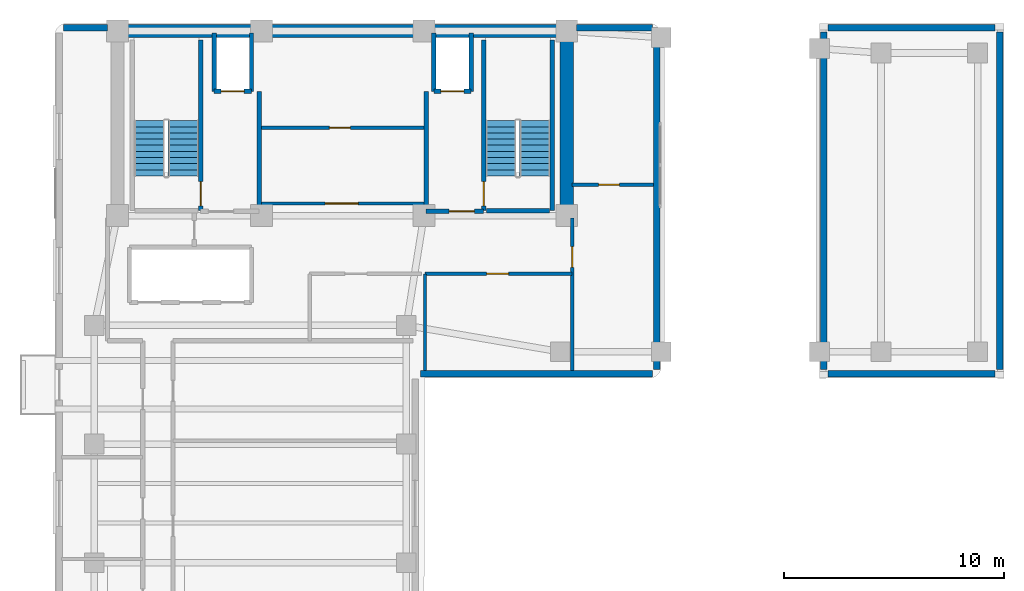
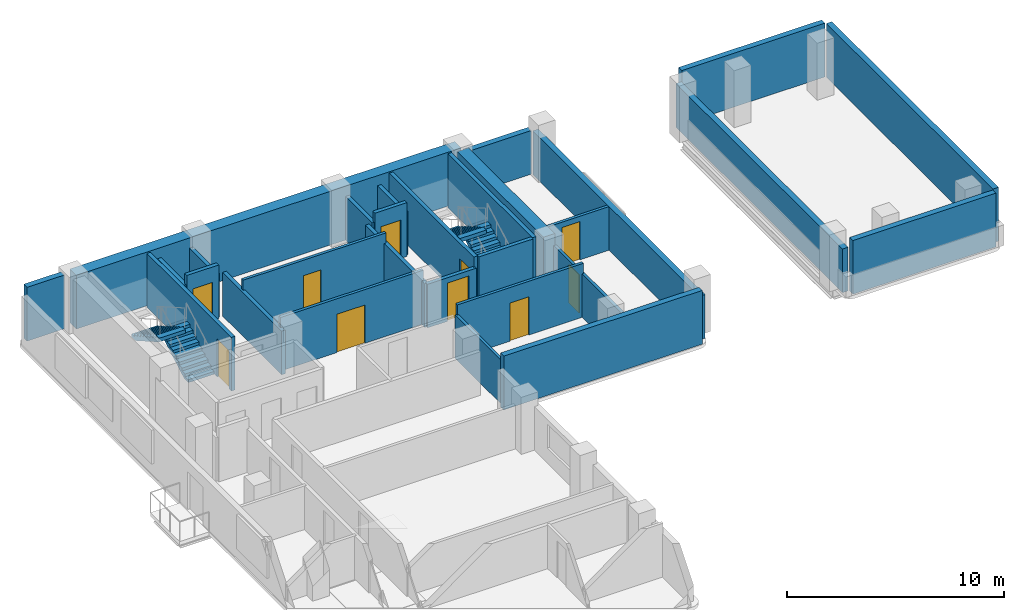
# One storey, part 7 of 9: 29 walls, 10 doors, 4 stair flights, 10 openings, 2 elements without a shape of their own.
"""IFC4 building model written with IfcOpenShell, lengths in metres."""

import ifcopenshell
import ifcopenshell.guid

model = None  # the IFC model being written
_history = None  # IfcOwnerHistory: only IFC2X3 demands one
_inside = {}  # id of a spatial element -> (the spatial element, [elements in it])
_under = {}  # id of a project, library or spatial element -> (it, [spatial elements below it])
_declared = {}  # id of a project -> (the project, [libraries it declares])
_typed = {}  # id of a type object -> (the type object, [elements of that type])
_made_of = {}  # id of a material, layer set ... -> (it, [elements and type objects made of it])


def new_model(schema):
    """Start an empty IFC model of exactly this schema.

    Asked for "IFC4X3", IfcOpenShell would pick the latest addendum, in which some entities
    have other attributes; the version numbers below select the first issue.
    IFC2X3 requires an IfcOwnerHistory on every rooted entity: one is made here for all.
    """
    global model, _history
    if schema == "IFC4X3":
        model = ifcopenshell.file(schema_version=(4, 3, 0, 0))
    else:
        model = ifcopenshell.file(schema=schema)
    _inside.clear()
    _under.clear()
    _declared.clear()
    _typed.clear()
    _made_of.clear()
    _history = None
    if model.schema == "IFC2X3":
        org = make("IfcOrganization", Name="unknown")
        user = make(
            "IfcPersonAndOrganization",
            ThePerson=make("IfcPerson", FamilyName="unknown"),
            TheOrganization=org,
        )
        app = make(
            "IfcApplication",
            ApplicationDeveloper=org,
            Version="unknown",
            ApplicationFullName="unknown",
            ApplicationIdentifier="unknown",
        )
        _history = make(
            "IfcOwnerHistory",
            OwningUser=user,
            OwningApplication=app,
            ChangeAction="ADDED",
            CreationDate=0,
        )
    return model


def make(cls, **values):
    """One entity of the class cls with the attributes given. An attribute that is None is left unset."""
    return model.create_entity(
        cls, **{name: value for name, value in values.items() if value is not None}
    )


def rooted(cls, **values):
    """An entity with a GlobalId (a new one), such as an element, a storey or a relation."""
    return make(cls, GlobalId=ifcopenshell.guid.new(), OwnerHistory=_history, **values)


def si_unit(unit_type, name, prefix=None):
    """IfcSIUnit, for example si_unit("LENGTHUNIT", "METRE", prefix="MILLI")."""
    return make("IfcSIUnit", UnitType=unit_type, Prefix=prefix, Name=name)


def assignment(units):
    """IfcUnitAssignment: the units of a project."""
    return None if units is None else make("IfcUnitAssignment", Units=units)


def point(xyz):
    """IfcCartesianPoint."""
    return None if xyz is None else make("IfcCartesianPoint", Coordinates=xyz)


def direction(xyz):
    """IfcDirection."""
    return None if xyz is None else make("IfcDirection", DirectionRatios=xyz)


def frame(location, z_axis=None, x_axis=None):
    """IfcAxis2Placement3D, a coordinate frame: its origin and axes. An axis left out is left unset."""
    return make(
        "IfcAxis2Placement3D",
        Location=point(location),
        Axis=direction(z_axis),
        RefDirection=direction(x_axis),
    )


def frame_2d(location, x_axis=None):
    """IfcAxis2Placement2D, a coordinate frame in the plane: its origin and x axis."""
    return make(
        "IfcAxis2Placement2D", Location=point(location), RefDirection=direction(x_axis)
    )


def origin():
    """The frame at (0, 0, 0) with its axes left unset."""
    return frame((0.0, 0.0, 0.0))


def place(relative_to, where):
    """IfcLocalPlacement: puts the frame where relative to a parent placement (None: the world)."""
    return make(
        "IfcLocalPlacement", PlacementRelTo=relative_to, RelativePlacement=where
    )


def context(
    kind, dimensions, precision=None, world=None, true_north=None, identifier=None
):
    """IfcGeometricRepresentationContext, for example the 3D "Model" context."""
    return make(
        "IfcGeometricRepresentationContext",
        ContextIdentifier=identifier,
        ContextType=kind,
        CoordinateSpaceDimension=dimensions,
        Precision=precision,
        WorldCoordinateSystem=world,
        TrueNorth=true_north,
    )


def subcontext(parent, identifier, kind, view, scale=None):
    """IfcGeometricRepresentationSubContext, for example "Body" below "Model"."""
    return make(
        "IfcGeometricRepresentationSubContext",
        ContextIdentifier=identifier,
        ContextType=kind,
        ParentContext=parent,
        TargetScale=scale,
        TargetView=view,
    )


def project(units=None, contexts=None):
    """IfcProject with its units and contexts."""
    return rooted(
        "IfcProject",
        Name="project",
        RepresentationContexts=contexts,
        UnitsInContext=assignment(units),
    )


def spatial(cls, under=None, at=None, **own):
    """A site, building, storey or space (cls), placed at a placement, below another one or the project."""
    s = rooted(cls, ObjectPlacement=at, **own)
    if under is not None:
        _under.setdefault(under.id(), (under, []))[1].append(s)
    return s


def polyline(points):
    """IfcPolyline through the points."""
    return make("IfcPolyline", Points=[point(p) for p in points])


def profile(cls, at=None, kind="AREA", **sizes):
    """A parametric profile (cls). Its sizes go by their IFC names, for example OverallWidth=200.0."""
    return make(cls, ProfileType=kind, Position=at, **sizes)


def rectangle(**sizes):
    """IfcRectangleProfileDef."""
    return profile("IfcRectangleProfileDef", **sizes)


def outline(outer, holes=None, kind="AREA"):
    """IfcArbitraryClosedProfileDef: a profile drawn as a closed curve; with holes, ...WithVoids."""
    if holes is None:
        return make("IfcArbitraryClosedProfileDef", ProfileType=kind, OuterCurve=outer)
    return make(
        "IfcArbitraryProfileDefWithVoids",
        ProfileType=kind,
        OuterCurve=outer,
        InnerCurves=holes,
    )


def extrude(swept, where, along, depth):
    """IfcExtrudedAreaSolid: the profile swept, set in the frame where, extruded along a direction by depth."""
    return make(
        "IfcExtrudedAreaSolid",
        SweptArea=swept,
        Position=where,
        ExtrudedDirection=direction(along),
        Depth=depth,
    )


def shape(context_of_items, identifier, shape_type, items):
    """IfcShapeRepresentation: the items that make up one representation, for example the "Body"."""
    return make(
        "IfcShapeRepresentation",
        ContextOfItems=context_of_items,
        RepresentationIdentifier=identifier,
        RepresentationType=shape_type,
        Items=items,
    )


def material(Name=None, Category=None):
    """IfcMaterial."""
    return make("IfcMaterial", Name=Name, Category=Category)


def layer(
    of_material, thickness, ventilated=None, Name=None, Category=None, Priority=None
):
    """IfcMaterialLayer: one layer of a wall or slab, of a material (None: an air gap)."""
    return make(
        "IfcMaterialLayer",
        Material=of_material,
        LayerThickness=thickness,
        IsVentilated=ventilated,
        Name=Name,
        Category=Category,
        Priority=Priority,
    )


def layer_set(layers, Name=None):
    """IfcMaterialLayerSet."""
    return make("IfcMaterialLayerSet", MaterialLayers=layers, LayerSetName=Name)


def made_of(thing, what):
    """Note that an element or type object is made of a material, layer set ...; save() writes the relation."""
    if what is not None:
        _made_of.setdefault(what.id(), (what, []))[1].append(thing)
    return thing


def type_object(cls, material=None, **own):
    """A type object (cls), such as IfcWallType, which elements share."""
    return made_of(rooted(cls, **own), material)


def element(
    cls,
    number,
    at=None,
    inside=None,
    cuts=None,
    type_object=None,
    material=None,
    context=None,
    identifier="Body",
    shape_type=None,
    held_by="IfcProductDefinitionShape",
    body=None,
    shapes=None,
    **own,
):
    """One element of the class cls, such as IfcWall. Its Tag is "e" and its number.

    at: its placement. inside: the storey or other place that contains it. cuts: it is an
    opening in that element (IfcRelVoidsElement). A single representation is given by context,
    identifier, shape_type and body (its items); several are given by shapes. held_by: the class
    of the entity that holds the representations. save() writes the other relations.
    """
    e = rooted(cls, Tag="e%d" % number, ObjectPlacement=at, **own)
    if body is not None:
        shapes = [shape(context, identifier, shape_type, body)]
    if shapes is not None:
        e.Representation = make(held_by, Representations=shapes)
    if inside is not None:
        _inside.setdefault(inside.id(), (inside, []))[1].append(e)
    if cuts is not None:
        rooted(
            "IfcRelVoidsElement", RelatingBuildingElement=cuts, RelatedOpeningElement=e
        )
    if type_object is not None:
        _typed.setdefault(type_object.id(), (type_object, []))[1].append(e)
    return made_of(e, material)


def fill(opening, filler):
    """IfcRelFillsElement: the door or window that sits in an opening."""
    return rooted(
        "IfcRelFillsElement",
        RelatingOpeningElement=opening,
        RelatedBuildingElement=filler,
    )


def aggregate(whole, parts):
    """IfcRelAggregates: a whole, such as a stair, and the parts it consists of."""
    return rooted("IfcRelAggregates", RelatingObject=whole, RelatedObjects=parts)


def save(model, path):
    """Write the relations noted so far, then the file.

    IfcRelAggregates (storeys below a building ...), IfcRelContainedInSpatialStructure (elements
    in a storey), IfcRelDefinesByType, IfcRelAssociatesMaterial and IfcRelDeclares: one each for
    every whole, place, type object, material and project.
    """
    for whole, parts in _under.values():
        aggregate(whole, parts)
    for where, things in _inside.values():
        rooted(
            "IfcRelContainedInSpatialStructure",
            RelatedElements=things,
            RelatingStructure=where,
        )
    for kind, things in _typed.values():
        rooted("IfcRelDefinesByType", RelatedObjects=things, RelatingType=kind)
    for what, things in _made_of.values():
        rooted("IfcRelAssociatesMaterial", RelatedObjects=things, RelatingMaterial=what)
    for by, libraries in _declared.values():
        rooted("IfcRelDeclares", RelatingContext=by, RelatedDefinitions=libraries)
    model.write(path)


model = new_model("IFC4")

# Units and contexts
model_context = context("Model", 3, precision=1e-05, world=origin(), true_north=direction((0.0, 1.0)))
body_context = subcontext(model_context, "Body", "Model", "MODEL_VIEW")
ifc_project = project(units=[si_unit("LENGTHUNIT", "METRE"), si_unit("AREAUNIT", "SQUARE_METRE"), si_unit("VOLUMEUNIT", "CUBIC_METRE"), si_unit("PLANEANGLEUNIT", "RADIAN"), si_unit("MASSUNIT", "GRAM", prefix="KILO")], contexts=[model_context])

# Site, building, storey
site_placement = place(None, origin())
site = spatial("IfcSite", under=ifc_project, at=site_placement, CompositionType="ELEMENT")
building_placement = place(site_placement, origin())
building = spatial("IfcBuilding", under=site, at=building_placement, Name="Kuzgunbayir Cultural Tower", CompositionType="ELEMENT")
storey_placement = place(building_placement, frame((0.0, 0.0, 166.39990234375)))
storey = spatial("IfcBuildingStorey", under=building, at=storey_placement, Name="L48", CompositionType="ELEMENT", Elevation=166.39990234375)

# Walls
ifc_material_1 = material(Name="Concrete C60/75", Category="concrete")
ifc_layer_1 = layer(ifc_material_1, 0.60009765625)
ifc_layer_set_1 = layer_set([ifc_layer_1], Name="Concrete C60/75")
wall_type_1 = type_object("IfcWallType", Name="WAL-CORE-600", PredefinedType="SHEAR", material=ifc_layer_set_1)
wall_1_placement = place(storey_placement, frame((6.449951171875, 42.199951171875, 0.0), z_axis=(0.0, 0.0, 1.0), x_axis=(1.0, 0.0, 0.0)))
element("IfcWall", 1, at=wall_1_placement, inside=storey, type_object=wall_type_1, Name="L48 T1 Core North Shear Wall", PredefinedType="SHEAR", context=body_context, shape_type="SweptSolid", body=[
    extrude(rectangle(XDim=20.449951171875, YDim=0.60009765625, at=frame_2d((10.22509765625, 0.0))), origin(), (0.0, 0.0, 1.0), 3.02001953125),
])
wall_2_placement = place(storey_placement, frame((26.89990234375, 33.800048828125, 0.0), z_axis=(0.0, 0.0, 1.0), x_axis=(0.0, 1.0, 0.0)))
element("IfcWall", 2, at=wall_2_placement, inside=storey, type_object=wall_type_1, Name="L48 T1 Core East Shear Wall", PredefinedType="SHEAR", context=body_context, shape_type="SweptSolid", body=[
    extrude(rectangle(XDim=7.949951171875, YDim=0.60009765625, at=frame_2d((3.97509765625, 0.0))), origin(), (0.0, 0.0, 1.0), 3.02001953125),
])
ifc_material_2 = material(Name="Anatolian Cream Limestone", Category="masonry")
ifc_layer_2 = layer(ifc_material_2, 0.300048828125)
ifc_layer_set_2 = layer_set([ifc_layer_2], Name="Anatolian Cream Limestone")
wall_type_2 = type_object("IfcWallType", Name="WAL-EXT-STONE-300", PredefinedType="STANDARD", material=ifc_layer_set_2)
wall_3_placement = place(storey_placement, frame((30.800048828125, 42.35009765625, 0.0), z_axis=(0.0, 0.0, 1.0), x_axis=(-1.0, 0.0, 0.0)))
element("IfcWall", 3, at=wall_3_placement, inside=storey, type_object=wall_type_2, Name="L48 North Wing B Limestone Wall", PredefinedType="STANDARD", context=body_context, shape_type="SweptSolid", body=[
    extrude(rectangle(XDim=3.449951171875, YDim=0.300048828125, at=frame_2d((1.72509765625, 0.0))), origin(), (0.0, 0.0, 1.0), 2.4501953125),
])
wall_4_placement = place(storey_placement, frame((6.0, 42.35009765625, 0.0), z_axis=(0.0, 0.0, 1.0), x_axis=(-1.0, 0.0, 0.0)))
element("IfcWall", 4, at=wall_4_placement, inside=storey, type_object=wall_type_2, Name="L48 Core North-West Spandrel Link", PredefinedType="STANDARD", context=body_context, shape_type="SweptSolid", body=[
    extrude(rectangle(XDim=2.0, YDim=0.300048828125, at=frame_2d((1.0, 0.0))), origin(), (0.0, 0.0, 1.0), 3.02001953125),
])
wall_5_placement = place(storey_placement, frame((20.25, 26.60009765625, 0.0), z_axis=(0.0, 0.0, 1.0), x_axis=(1.0, 0.0, 0.0)))
element("IfcWall", 5, at=wall_5_placement, inside=storey, type_object=wall_type_2, Name="L48 Wind-Portal West Wing Wall", PredefinedType="STANDARD", context=body_context, shape_type="SweptSolid", body=[
    extrude(rectangle(XDim=10.550048828125, YDim=0.300048828125, at=frame_2d((5.27490234375, 0.0))), origin(), (0.0, 0.0, 1.0), 3.02001953125),
])
for number, where, z_axis, x_axis, name in (
    (6, (38.800048828125, 26.60009765625, 0.0), (0.0, 0.0, 1.0), (1.0, 0.0, 0.0), "L48 Wind-Portal East Pier South Wall"),
    (7, (46.39990234375, 42.35009765625, 0.0), (0.0, 0.0, 1.0), (-1.0, 0.0, 0.0), "L48 Wind-Portal East Pier North Wall"),
):
    element("IfcWall", number, at=place(storey_placement, frame(where, z_axis=z_axis, x_axis=x_axis)), inside=storey, type_object=wall_type_2, Name=name, PredefinedType="STANDARD", context=body_context, shape_type="SweptSolid", body=[
        extrude(rectangle(XDim=7.599853515625, YDim=0.300048828125, at=frame_2d((3.7998046875, 0.0))), origin(), (0.0, 0.0, 1.0), 3.02001953125),
    ])
for number, where, z_axis, x_axis, name in (
    (8, (31.0, 26.800048828125, 0.0), (0.0, 0.0, 1.0), (0.0, 1.0, 0.0), "L48 Wind-Portal West Jamb Wall"),
    (9, (38.60009765625, 42.14990234375, 0.0), (0.0, 0.0, 1.0), (0.0, -1.0, 0.0), "L48 Wind-Portal East Jamb Wall"),
):
    element("IfcWall", number, at=place(storey_placement, frame(where, z_axis=z_axis, x_axis=x_axis)), inside=storey, type_object=wall_type_2, Name=name, PredefinedType="STANDARD", context=body_context, shape_type="SweptSolid", body=[
        extrude(rectangle(XDim=15.349853515625, YDim=0.300048828125, at=frame_2d((7.6748046875, 0.0))), origin(), (0.0, 0.0, 1.0), 2.4501953125),
    ])
wall_6_placement = place(storey_placement, frame((46.60009765625, 26.800048828125, 0.0), z_axis=(0.0, 0.0, 1.0), x_axis=(0.0, 1.0, 0.0)))
element("IfcWall", 10, at=wall_6_placement, inside=storey, type_object=wall_type_2, Name="L48 Wind-Portal East Wall", PredefinedType="STANDARD", context=body_context, shape_type="SweptSolid", body=[
    extrude(rectangle(XDim=15.349853515625, YDim=0.300048828125, at=frame_2d((7.6748046875, 0.0))), origin(), (0.0, 0.0, 1.0), 3.02001953125),
])

# Wall, opening, door
ifc_material_3 = material(Name="Acoustic Double-Stud Drywall", Category="gypsum")
ifc_layer_3 = layer(ifc_material_3, 0.14990234375)
ifc_layer_set_3 = layer_set([ifc_layer_3], Name="Acoustic Double-Stud Drywall")
wall_type_3 = type_object("IfcWallType", Name="WAL-PART-ACOUSTIC-150", PredefinedType="PARTITIONING", material=ifc_layer_set_3)
wall_7_placement = place(storey_placement, frame((12.89990234375, 34.35009765625, 0.0), z_axis=(0.0, 0.0, 1.0), x_axis=(1.0, 0.0, 0.0)))
wall_7 = element("IfcWall", 11, at=wall_7_placement, inside=storey, type_object=wall_type_3, Name="L48 Sky Core South Wall", PredefinedType="PARTITIONING", context=body_context, shape_type="SweptSolid", body=[
    extrude(rectangle(XDim=7.60009765625, YDim=0.14990234375, at=frame_2d((3.800048828125, 0.0))), origin(), (0.0, 0.0, 1.0), 3.02001953125),
])
opening_1_placement = place(wall_7_placement, frame((3.0, 0.0, 0.0)))
opening_1 = element("IfcOpeningElement", 12, at=opening_1_placement, cuts=wall_7, Name="Opening DC-150", PredefinedType="OPENING", context=body_context, shape_type="SweptSolid", body=[
    extrude(rectangle(XDim=1.5, YDim=2.14990234375, at=frame_2d((0.75, 1.074951171875))), frame((0.0, 0.0849609375, 0.0), z_axis=(0.0, -1.0, 0.0), x_axis=(1.0, 0.0, 0.0)), (0.0, 0.0, 1.0), 0.169921875),
])
ifc_material_4 = material(Name="Fire-Rated Veneered Oak Double Leaf", Category="wood")
door_type_1 = type_object("IfcDoorType", Name="DR-CORE-150", OperationType="DOUBLE_DOOR_SINGLE_SWING", PredefinedType="DOOR", material=ifc_material_4)
door_1_placement = place(opening_1_placement, origin())
door_1 = element("IfcDoor", 13, at=door_1_placement, inside=storey, type_object=door_type_1, Name="L48 Sky Conservatory Double Door", OperationType="DOUBLE_DOOR_SINGLE_SWING", OverallHeight=2.14990234375, OverallWidth=1.5, PredefinedType="DOOR", context=body_context, shape_type="SweptSolid", body=[
    extrude(rectangle(XDim=1.5, YDim=2.14990234375, at=frame_2d((0.75, 1.074951171875))), frame((0.0, 0.02490234375, 0.0), z_axis=(0.0, -1.0, 0.0), x_axis=(1.0, 0.0, 0.0)), (0.0, 0.0, 1.0), 0.050048828125),
])
fill(opening_1, door_1)

wall_8_placement = place(storey_placement, frame((12.89990234375, 37.800048828125, 0.0), z_axis=(0.0, 0.0, 1.0), x_axis=(1.0, 0.0, 0.0)))
wall_8 = element("IfcWall", 14, at=wall_8_placement, inside=storey, type_object=wall_type_3, Name="L48 Sky Core Mid Wall", PredefinedType="PARTITIONING", context=body_context, shape_type="SweptSolid", body=[
    extrude(rectangle(XDim=7.60009765625, YDim=0.14990234375, at=frame_2d((3.800048828125, 0.0))), origin(), (0.0, 0.0, 1.0), 3.02001953125),
])
opening_2_placement = place(wall_8_placement, frame((3.199951171875, 0.0, 0.0)))
opening_2 = element("IfcOpeningElement", 15, at=opening_2_placement, cuts=wall_8, Name="Opening DC-95", PredefinedType="OPENING", context=body_context, shape_type="SweptSolid", body=[
    extrude(rectangle(XDim=0.949951171875, YDim=2.14990234375, at=frame_2d((0.47509765625, 1.074951171875))), frame((0.0, 0.0849609375, 0.0), z_axis=(0.0, -1.0, 0.0), x_axis=(1.0, 0.0, 0.0)), (0.0, 0.0, 1.0), 0.169921875),
])
ifc_material_5 = material(Name="Fire-Rated Veneered Oak Leaf", Category="wood")
door_type_2 = type_object("IfcDoorType", Name="DR-CORE-95", OperationType="NOTDEFINED", PredefinedType="DOOR", material=ifc_material_5)
door_2_placement = place(opening_2_placement, origin())
door_2 = element("IfcDoor", 16, at=door_2_placement, inside=storey, type_object=door_type_2, Name="L48 Core Archive Door", OperationType="SINGLE_SWING_RIGHT", OverallHeight=2.14990234375, OverallWidth=0.949951171875, PredefinedType="DOOR", context=body_context, shape_type="SweptSolid", body=[
    extrude(rectangle(XDim=0.949951171875, YDim=2.14990234375, at=frame_2d((0.47509765625, 1.074951171875))), frame((0.0, 0.02490234375, 0.0), z_axis=(0.0, -1.0, 0.0), x_axis=(1.0, 0.0, 0.0)), (0.0, 0.0, 1.0), 0.050048828125),
])
fill(opening_2, door_2)

wall_9_placement = place(storey_placement, frame((20.449951171875, 31.14990234375, 0.0), z_axis=(0.0, 0.0, 1.0), x_axis=(1.0, 0.0, 0.0)))
wall_9 = element("IfcWall", 17, at=wall_9_placement, inside=storey, type_object=wall_type_3, Name="L48 Wind-Portal Salon North Wall", PredefinedType="PARTITIONING", context=body_context, shape_type="SweptSolid", body=[
    extrude(rectangle(XDim=6.699951171875, YDim=0.14990234375, at=frame_2d((3.35009765625, 0.0))), origin(), (0.0, 0.0, 1.0), 3.02001953125),
])
opening_3_placement = place(wall_9_placement, frame((2.800048828125, 0.0, 0.0)))
opening_3 = element("IfcOpeningElement", 18, at=opening_3_placement, cuts=wall_9, Name="Opening DI-100", PredefinedType="OPENING", context=body_context, shape_type="SweptSolid", body=[
    extrude(rectangle(XDim=1.0, YDim=2.14990234375, at=frame_2d((0.5, 1.074951171875))), frame((0.0, 0.0849609375, 0.0), z_axis=(0.0, -1.0, 0.0), x_axis=(1.0, 0.0, 0.0)), (0.0, 0.0, 1.0), 0.169921875),
])
ifc_material_6 = material(Name="Veneered Oak Single Leaf", Category="wood")
door_type_3 = type_object("IfcDoorType", Name="DR-INT-100", OperationType="NOTDEFINED", PredefinedType="DOOR", material=ifc_material_6)
door_3_placement = place(opening_3_placement, origin())
door_3 = element("IfcDoor", 19, at=door_3_placement, inside=storey, type_object=door_type_3, Name="L48 Wind-Portal Salon Door", OperationType="SINGLE_SWING_LEFT", OverallHeight=2.14990234375, OverallWidth=1.0, PredefinedType="DOOR", context=body_context, shape_type="SweptSolid", body=[
    extrude(rectangle(XDim=1.0, YDim=2.14990234375, at=frame_2d((0.5, 1.074951171875))), frame((0.0, 0.02490234375, 0.0), z_axis=(0.0, -1.0, 0.0), x_axis=(1.0, 0.0, 0.0)), (0.0, 0.0, 1.0), 0.050048828125),
])
fill(opening_3, door_3)

# Wall
wall_10_placement = place(storey_placement, frame((20.449951171875, 26.75, 0.0), z_axis=(0.0, 0.0, 1.0), x_axis=(0.0, 1.0, 0.0)))
element("IfcWall", 20, at=wall_10_placement, inside=storey, type_object=wall_type_3, Name="L48 Wind-Portal Salon West Wall", PredefinedType="PARTITIONING", context=body_context, shape_type="SweptSolid", body=[
    extrude(rectangle(XDim=4.39990234375, YDim=0.14990234375, at=frame_2d((2.199951171875, 0.0))), origin(), (0.0, 0.0, 1.0), 2.4501953125),
])

# Wall, opening, door
wall_11_placement = place(storey_placement, frame((27.14990234375, 26.75, 0.0), z_axis=(0.0, 0.0, 1.0), x_axis=(0.0, 1.0, 0.0)))
wall_11 = element("IfcWall", 21, at=wall_11_placement, inside=storey, type_object=wall_type_3, Name="L48 Wind-Portal East Atelier Wall", PredefinedType="PARTITIONING", context=body_context, shape_type="SweptSolid", body=[
    extrude(rectangle(XDim=6.929931640625, YDim=0.14990234375, at=frame_2d((3.46484375, 0.0))), origin(), (0.0, 0.0, 1.0), 2.4501953125),
])
opening_4_placement = place(wall_11_placement, frame((4.68994140625, 0.0, 0.0)))
opening_4 = element("IfcOpeningElement", 22, at=opening_4_placement, cuts=wall_11, Name="Opening DI-90", PredefinedType="OPENING", context=body_context, shape_type="SweptSolid", body=[
    extrude(rectangle(XDim=0.949951171875, YDim=2.14990234375, at=frame_2d((0.47509765625, 1.074951171875))), frame((0.0, 0.0849609375, 0.0), z_axis=(0.0, -1.0, 0.0), x_axis=(1.0, 0.0, 0.0)), (0.0, 0.0, 1.0), 0.169921875),
])
door_type_4 = type_object("IfcDoorType", Name="DR-INT-90", OperationType="NOTDEFINED", PredefinedType="DOOR", material=ifc_material_6)
door_4_placement = place(opening_4_placement, origin())
door_4 = element("IfcDoor", 23, at=door_4_placement, inside=storey, type_object=door_type_4, Name="L48 Wind-Portal Lookout Door", OperationType="SINGLE_SWING_RIGHT", OverallHeight=2.14990234375, OverallWidth=0.949951171875, PredefinedType="DOOR", context=body_context, shape_type="SweptSolid", body=[
    extrude(rectangle(XDim=0.949951171875, YDim=2.14990234375, at=frame_2d((0.47509765625, 1.074951171875))), frame((0.0, 0.02490234375, 0.0), z_axis=(0.0, -1.0, 0.0), x_axis=(1.0, 0.0, 0.0)), (0.0, 0.0, 1.0), 0.050048828125),
])
fill(opening_4, door_4)

wall_12_placement = place(storey_placement, frame((27.14990234375, 35.199951171875, 0.0), z_axis=(0.0, 0.0, 1.0), x_axis=(1.0, 0.0, 0.0)))
wall_12 = element("IfcWall", 24, at=wall_12_placement, inside=storey, type_object=wall_type_3, Name="L48 Wind-Portal Atelier Divider", PredefinedType="PARTITIONING", context=body_context, shape_type="SweptSolid", body=[
    extrude(rectangle(XDim=3.7001953125, YDim=0.14990234375, at=frame_2d((1.85009765625, 0.0))), origin(), (0.0, 0.0, 1.0), 2.4501953125),
])
opening_5_placement = place(wall_12_placement, frame((1.199951171875, 0.0, 0.0)))
opening_5 = element("IfcOpeningElement", 25, at=opening_5_placement, cuts=wall_12, Name="Opening DI-90", PredefinedType="OPENING", context=body_context, shape_type="SweptSolid", body=[
    extrude(rectangle(XDim=0.949951171875, YDim=2.14990234375, at=frame_2d((0.47509765625, 1.074951171875))), frame((0.0, 0.0849609375, 0.0), z_axis=(0.0, -1.0, 0.0), x_axis=(1.0, 0.0, 0.0)), (0.0, 0.0, 1.0), 0.169921875),
])
door_5_placement = place(opening_5_placement, origin())
door_5 = element("IfcDoor", 26, at=door_5_placement, inside=storey, type_object=door_type_4, Name="L48 Wind-Portal Atelier Door", OperationType="SINGLE_SWING_LEFT", OverallHeight=2.14990234375, OverallWidth=0.949951171875, PredefinedType="DOOR", context=body_context, shape_type="SweptSolid", body=[
    extrude(rectangle(XDim=0.949951171875, YDim=2.14990234375, at=frame_2d((0.47509765625, 1.074951171875))), frame((0.0, 0.02490234375, 0.0), z_axis=(0.0, -1.0, 0.0), x_axis=(1.0, 0.0, 0.0)), (0.0, 0.0, 1.0), 0.050048828125),
])
fill(opening_5, door_5)

# Walls
ifc_material_7 = material(Name="Aerated Concrete Blockwork", Category="masonry")
ifc_layer_4 = layer(ifc_material_7, 0.199951171875)
ifc_layer_set_4 = layer_set([ifc_layer_4], Name="Aerated Concrete Blockwork")
wall_type_4 = type_object("IfcWallType", Name="WAL-PART-FIRE-200", PredefinedType="PARTITIONING", material=ifc_layer_set_4)
for number, where, z_axis, x_axis, name in (
    (27, (12.89990234375, 34.0, 0.0), (0.0, 0.0, 1.0), (0.0, 1.0, 0.0), "L48 FFL-1 Lobby East Fire Wall"),
    (28, (20.5, 34.0, 0.0), (0.0, 0.0, 1.0), (0.0, 1.0, 0.0), "L48 FFL-2 Lobby West Fire Wall"),
):
    element("IfcWall", number, at=place(storey_placement, frame(where, z_axis=z_axis, x_axis=x_axis)), inside=storey, type_object=wall_type_4, Name=name, PredefinedType="PARTITIONING", context=body_context, shape_type="SweptSolid", body=[
        extrude(rectangle(XDim=5.449951171875, YDim=0.199951171875, at=frame_2d((2.72509765625, 0.0))), origin(), (0.0, 0.0, 1.0), 2.4501953125),
    ])

# Wall, opening, door
wall_13_placement = place(storey_placement, frame((20.5, 34.0, 0.0), z_axis=(0.0, 0.0, 1.0), x_axis=(1.0, 0.0, 0.0)))
wall_13 = element("IfcWall", 29, at=wall_13_placement, inside=storey, type_object=wall_type_4, Name="L48 FFL-2 Lobby South Fire Wall", PredefinedType="PARTITIONING", context=body_context, shape_type="SweptSolid", body=[
    extrude(rectangle(XDim=2.60009765625, YDim=0.199951171875, at=frame_2d((1.300048828125, 0.0))), origin(), (0.0, 0.0, 1.0), 2.4501953125),
])
opening_6_placement = place(wall_13_placement, frame((1.050048828125, 0.0, 0.0)))
opening_6 = element("IfcOpeningElement", 30, at=opening_6_placement, cuts=wall_13, Name="Opening DR-FFL-90", PredefinedType="OPENING", context=body_context, shape_type="SweptSolid", body=[
    extrude(rectangle(XDim=1.14990234375, YDim=2.14990234375, at=frame_2d((0.574951171875, 1.074951171875))), frame((0.0, 0.10986328125, 0.0), z_axis=(0.0, -1.0, 0.0), x_axis=(1.0, 0.0, 0.0)), (0.0, 0.0, 1.0), 0.219970703125),
])
ifc_material_8 = material(Name="Steel S355J2", Category="steel")
door_type_5 = type_object("IfcDoorType", Name="DR-FFL-90", OperationType="NOTDEFINED", PredefinedType="DOOR", material=ifc_material_8)
door_6_placement = place(opening_6_placement, origin())
door_6 = element("IfcDoor", 31, at=door_6_placement, inside=storey, type_object=door_type_5, Name="L48 Firefighting Lobby 2 Door", OperationType="SINGLE_SWING_RIGHT", OverallHeight=2.14990234375, OverallWidth=1.14990234375, PredefinedType="DOOR", context=body_context, shape_type="SweptSolid", body=[
    extrude(rectangle(XDim=1.14990234375, YDim=2.14990234375, at=frame_2d((0.574951171875, 1.074951171875))), frame((0.0, 0.02490234375, 0.0), z_axis=(0.0, -1.0, 0.0), x_axis=(1.0, 0.0, 0.0)), (0.0, 0.0, 1.0), 0.050048828125),
])
fill(opening_6, door_6)

ifc_material_9 = material(Name="Concrete C40/50", Category="concrete")
ifc_layer_5 = layer(ifc_material_9, 0.199951171875)
ifc_layer_set_5 = layer_set([ifc_layer_5], Name="Concrete C40/50")
wall_type_5 = type_object("IfcWallType", Name="WAL-SHAFT-200", PredefinedType="MOVABLE", material=ifc_layer_set_5)
wall_14_placement = place(storey_placement, frame((10.85009765625, 39.449951171875, 0.0), z_axis=(0.0, 0.0, 1.0), x_axis=(1.0, 0.0, 0.0)))
wall_14 = element("IfcWall", 32, at=wall_14_placement, inside=storey, type_object=wall_type_5, Name="L48 FFL-1 Lift Front Wall", PredefinedType="MOVABLE", context=body_context, shape_type="SweptSolid", body=[
    extrude(rectangle(XDim=1.699951171875, YDim=0.199951171875, at=frame_2d((0.85009765625, 0.0))), origin(), (0.0, 0.0, 1.0), 3.02001953125),
])
opening_7_placement = place(wall_14_placement, frame((0.320068359375, 0.0, 0.0)))
opening_7 = element("IfcOpeningElement", 33, at=opening_7_placement, cuts=wall_14, Name="Opening LD", PredefinedType="OPENING", context=body_context, shape_type="SweptSolid", body=[
    extrude(rectangle(XDim=1.050048828125, YDim=2.14990234375, at=frame_2d((0.52490234375, 1.074951171875))), frame((0.0, 0.10986328125, 0.0), z_axis=(0.0, -1.0, 0.0), x_axis=(1.0, 0.0, 0.0)), (0.0, 0.0, 1.0), 0.219970703125),
])
ifc_material_10 = material(Name="Brushed Stainless Steel", Category="steel")
door_type_6 = type_object("IfcDoorType", Name="DR-LIFT-LANDING", OperationType="SLIDING_TO_LEFT", PredefinedType="DOOR", material=ifc_material_10)
door_7_placement = place(opening_7_placement, origin())
door_7 = element("IfcDoor", 34, at=door_7_placement, inside=storey, type_object=door_type_6, Name="L48 Lift FFL-1 Landing Door", OperationType="SLIDING_TO_LEFT", OverallHeight=2.14990234375, OverallWidth=1.050048828125, PredefinedType="DOOR", context=body_context, shape_type="SweptSolid", body=[
    extrude(rectangle(XDim=1.050048828125, YDim=2.14990234375, at=frame_2d((0.52490234375, 1.074951171875))), frame((0.0, 0.02490234375, 0.0), z_axis=(0.0, -1.0, 0.0), x_axis=(1.0, 0.0, 0.0)), (0.0, 0.0, 1.0), 0.050048828125),
])
fill(opening_7, door_7)

wall_15_placement = place(storey_placement, frame((20.85009765625, 39.449951171875, 0.0), z_axis=(0.0, 0.0, 1.0), x_axis=(1.0, 0.0, 0.0)))
wall_15 = element("IfcWall", 35, at=wall_15_placement, inside=storey, type_object=wall_type_5, Name="L48 FFL-2 Lift Front Wall", PredefinedType="MOVABLE", context=body_context, shape_type="SweptSolid", body=[
    extrude(rectangle(XDim=1.699951171875, YDim=0.199951171875, at=frame_2d((0.85009765625, 0.0))), origin(), (0.0, 0.0, 1.0), 3.02001953125),
])
opening_8_placement = place(wall_15_placement, frame((0.320068359375, 0.0, 0.0)))
opening_8 = element("IfcOpeningElement", 36, at=opening_8_placement, cuts=wall_15, Name="Opening LD", PredefinedType="OPENING", context=body_context, shape_type="SweptSolid", body=[
    extrude(rectangle(XDim=1.050048828125, YDim=2.14990234375, at=frame_2d((0.52490234375, 1.074951171875))), frame((0.0, 0.10986328125, 0.0), z_axis=(0.0, -1.0, 0.0), x_axis=(1.0, 0.0, 0.0)), (0.0, 0.0, 1.0), 0.219970703125),
])
door_8_placement = place(opening_8_placement, origin())
door_8 = element("IfcDoor", 37, at=door_8_placement, inside=storey, type_object=door_type_6, Name="L48 Lift FFL-2 Landing Door", OperationType="SLIDING_TO_LEFT", OverallHeight=2.14990234375, OverallWidth=1.050048828125, PredefinedType="DOOR", context=body_context, shape_type="SweptSolid", body=[
    extrude(rectangle(XDim=1.050048828125, YDim=2.14990234375, at=frame_2d((0.52490234375, 1.074951171875))), frame((0.0, 0.02490234375, 0.0), z_axis=(0.0, -1.0, 0.0), x_axis=(1.0, 0.0, 0.0)), (0.0, 0.0, 1.0), 0.050048828125),
])
fill(opening_8, door_8)

# Walls
for number, where, z_axis, x_axis, name in (
    (38, (10.85009765625, 39.449951171875, 0.0), (0.0, 0.0, 1.0), (0.0, 1.0, 0.0), "L48 FFL-1 Shaft West Wall"),
    (39, (12.550048828125, 39.449951171875, 0.0), (0.0, 0.0, 1.0), (0.0, 1.0, 0.0), "L48 FFL-1 Shaft East Wall"),
    (40, (20.85009765625, 39.449951171875, 0.0), (0.0, 0.0, 1.0), (0.0, 1.0, 0.0), "L48 FFL-2 Shaft West Wall"),
    (41, (22.550048828125, 39.449951171875, 0.0), (0.0, 0.0, 1.0), (0.0, 1.0, 0.0), "L48 FFL-2 Shaft East Wall"),
):
    element("IfcWall", number, at=place(storey_placement, frame(where, z_axis=z_axis, x_axis=x_axis)), inside=storey, type_object=wall_type_5, Name=name, PredefinedType="MOVABLE", context=body_context, shape_type="SweptSolid", body=[
        extrude(rectangle(XDim=2.650146484375, YDim=0.199951171875, at=frame_2d((1.3251953125, 0.0))), origin(), (0.0, 0.0, 1.0), 2.4501953125),
    ])

# Wall, opening, door
ifc_layer_6 = layer(ifc_material_9, 0.199951171875)
ifc_layer_set_6 = layer_set([ifc_layer_6], Name="Concrete C40/50")
wall_type_6 = type_object("IfcWallType", Name="WAL-STAIR-RC-200", PredefinedType="SHEAR", material=ifc_layer_set_6)
wall_16_placement = place(storey_placement, frame((10.239990234375, 34.02001953125, 0.0), z_axis=(0.0, 0.0, 1.0), x_axis=(0.0, 1.0, 0.0)))
wall_16 = element("IfcWall", 42, at=wall_16_placement, inside=storey, type_object=wall_type_6, Name="L48 Stair ST-1 East Structural Wall", PredefinedType="SHEAR", context=body_context, shape_type="SweptSolid", body=[
    extrude(rectangle(XDim=7.780029296875, YDim=0.199951171875, at=frame_2d((3.89013671875, 0.0))), origin(), (0.0, 0.0, 1.0), 3.02001953125),
])
opening_9_placement = place(wall_16_placement, frame((0.219970703125, 0.0, 0.0)))
opening_9 = element("IfcOpeningElement", 43, at=opening_9_placement, cuts=wall_16, Name="Opening DR-STAIR-90", PredefinedType="OPENING", context=body_context, shape_type="SweptSolid", body=[
    extrude(rectangle(XDim=1.10009765625, YDim=2.14990234375, at=frame_2d((0.550048828125, 1.074951171875))), frame((0.0, 0.10986328125, 0.0), z_axis=(0.0, -1.0, 0.0), x_axis=(1.0, 0.0, 0.0)), (0.0, 0.0, 1.0), 0.219970703125),
])
door_type_7 = type_object("IfcDoorType", Name="DR-STAIR-90", OperationType="NOTDEFINED", PredefinedType="DOOR", material=ifc_material_8)
door_9_placement = place(opening_9_placement, origin())
door_9 = element("IfcDoor", 44, at=door_9_placement, inside=storey, type_object=door_type_7, Name="L48 Stair ST-1 Fire Door", OperationType="SINGLE_SWING_RIGHT", OverallHeight=2.14990234375, OverallWidth=1.10009765625, PredefinedType="DOOR", context=body_context, shape_type="SweptSolid", body=[
    extrude(rectangle(XDim=1.10009765625, YDim=2.14990234375, at=frame_2d((0.550048828125, 1.074951171875))), frame((0.0, 0.02490234375, 0.0), z_axis=(0.0, -1.0, 0.0), x_axis=(1.0, 0.0, 0.0)), (0.0, 0.0, 1.0), 0.050048828125),
])
fill(opening_9, door_9)

wall_17_placement = place(storey_placement, frame((23.1201171875, 34.02001953125, 0.0), z_axis=(0.0, 0.0, 1.0), x_axis=(0.0, 1.0, 0.0)))
wall_17 = element("IfcWall", 45, at=wall_17_placement, inside=storey, type_object=wall_type_6, Name="L48 Stair ST-2 West Structural Wall", PredefinedType="SHEAR", context=body_context, shape_type="SweptSolid", body=[
    extrude(rectangle(XDim=7.780029296875, YDim=0.199951171875, at=frame_2d((3.89013671875, 0.0))), origin(), (0.0, 0.0, 1.0), 3.02001953125),
])
opening_10_placement = place(wall_17_placement, frame((0.219970703125, 0.0, 0.0)))
opening_10 = element("IfcOpeningElement", 46, at=opening_10_placement, cuts=wall_17, Name="Opening DR-STAIR-90", PredefinedType="OPENING", context=body_context, shape_type="SweptSolid", body=[
    extrude(rectangle(XDim=1.10009765625, YDim=2.14990234375, at=frame_2d((0.550048828125, 1.074951171875))), frame((0.0, 0.10986328125, 0.0), z_axis=(0.0, -1.0, 0.0), x_axis=(1.0, 0.0, 0.0)), (0.0, 0.0, 1.0), 0.219970703125),
])
door_10_placement = place(opening_10_placement, origin())
door_10 = element("IfcDoor", 47, at=door_10_placement, inside=storey, type_object=door_type_7, Name="L48 Stair ST-2 Fire Door", OperationType="SINGLE_SWING_RIGHT", OverallHeight=2.14990234375, OverallWidth=1.10009765625, PredefinedType="DOOR", context=body_context, shape_type="SweptSolid", body=[
    extrude(rectangle(XDim=1.10009765625, YDim=2.14990234375, at=frame_2d((0.550048828125, 1.074951171875))), frame((0.0, 0.02490234375, 0.0), z_axis=(0.0, -1.0, 0.0), x_axis=(1.0, 0.0, 0.0)), (0.0, 0.0, 1.0), 0.050048828125),
])
fill(opening_10, door_10)

# Walls
wall_18_placement = place(storey_placement, frame((26.239990234375, 34.02001953125, 0.0), z_axis=(0.0, 0.0, 1.0), x_axis=(0.0, 1.0, 0.0)))
element("IfcWall", 48, at=wall_18_placement, inside=storey, type_object=wall_type_6, Name="L48 Stair ST-2 East Structural Wall", PredefinedType="SHEAR", context=body_context, shape_type="SweptSolid", body=[
    extrude(rectangle(XDim=7.780029296875, YDim=0.199951171875, at=frame_2d((3.89013671875, 0.0))), origin(), (0.0, 0.0, 1.0), 3.02001953125),
])
wall_19_placement = place(storey_placement, frame((23.239990234375, 34.02001953125, 0.0), z_axis=(0.0, 0.0, 1.0), x_axis=(1.0, 0.0, 0.0)))
element("IfcWall", 49, at=wall_19_placement, inside=storey, type_object=wall_type_6, Name="L48 Stair ST-2 South Structural Wall", PredefinedType="SHEAR", context=body_context, shape_type="SweptSolid", body=[
    extrude(rectangle(XDim=2.880126953125, YDim=0.199951171875, at=frame_2d((1.43994140625, 0.0))), origin(), (0.0, 0.0, 1.0), 3.02001953125),
])

# Stair, stair flights
stair_type = type_object("IfcStairType", Name="STR-EXIT-CORE", PredefinedType="HALF_TURN_STAIR", material=ifc_material_9)
stair_1_placement = place(storey_placement, origin())
stair_1 = element("IfcStair", 50, at=stair_1_placement, inside=storey, type_object=stair_type, Name="L48 ST-1", PredefinedType="HALF_TURN_STAIR")
stair_flight_type = type_object("IfcStairFlightType", Name="STRF-RC-140", PredefinedType="STRAIGHT", material=ifc_material_9)
stair_flight_1_placement = place(storey_placement, frame((9.4599609375, 35.60009765625, 0.0), z_axis=(0.0, 0.0, 1.0), x_axis=(0.0, 1.0, 0.0)))
stair_flight_1 = element("IfcStairFlight", 51, at=stair_flight_1_placement, type_object=stair_flight_type, Name="ST-1 flight 1", NumberOfRisers=10, NumberOfTreads=9, PredefinedType="STRAIGHT", RiserHeight=0.16, TreadLength=0.28, context=body_context, shape_type="SweptSolid", body=[
    extrude(outline(polyline([(0.0, 0.0), (0.0, 0.159912109375), (0.280029296875, 0.159912109375), (0.280029296875, 0.320068359375), (0.56005859375, 0.320068359375), (0.56005859375, 0.47998046875), (0.840087890625, 0.47998046875), (0.840087890625, 0.639892578125), (1.1201171875, 0.639892578125), (1.1201171875, 0.800048828125), (1.39990234375, 0.800048828125), (1.39990234375, 0.9599609375), (1.679931640625, 0.9599609375), (1.679931640625, 1.1201171875), (1.9599609375, 1.1201171875), (1.9599609375, 1.280029296875), (2.239990234375, 1.280029296875), (2.239990234375, 1.43994140625), (2.52001953125, 1.43994140625), (2.52001953125, 1.60009765625), (2.52001953125, 1.232666015625), (0.362548828125, 0.0), (0.0, 0.0)])), frame((0.0, 0.699951171875, 0.0), z_axis=(0.0, -1.0, 0.0), x_axis=(1.0, 0.0, 0.0)), (0.0, 0.0, 1.0), 1.39990234375),
])
stair_flight_2_placement = place(storey_placement, frame((7.89990234375, 38.1201171875, 1.60009765625), z_axis=(0.0, 0.0, 1.0), x_axis=(0.0, -1.0, 0.0)))
stair_flight_2 = element("IfcStairFlight", 52, at=stair_flight_2_placement, type_object=stair_flight_type, Name="ST-1 flight 2", NumberOfRisers=10, NumberOfTreads=9, PredefinedType="STRAIGHT", RiserHeight=0.16, TreadLength=0.28, context=body_context, shape_type="SweptSolid", body=[
    extrude(outline(polyline([(0.0, 0.0), (0.0, 0.159912109375), (0.280029296875, 0.159912109375), (0.280029296875, 0.320068359375), (0.56005859375, 0.320068359375), (0.56005859375, 0.47998046875), (0.840087890625, 0.47998046875), (0.840087890625, 0.639892578125), (1.1201171875, 0.639892578125), (1.1201171875, 0.800048828125), (1.39990234375, 0.800048828125), (1.39990234375, 0.9599609375), (1.679931640625, 0.9599609375), (1.679931640625, 1.1201171875), (1.9599609375, 1.1201171875), (1.9599609375, 1.280029296875), (2.239990234375, 1.280029296875), (2.239990234375, 1.43994140625), (2.52001953125, 1.43994140625), (2.52001953125, 1.60009765625), (2.52001953125, 1.232666015625), (0.362548828125, 0.0), (0.0, 0.0)])), frame((0.0, 0.699951171875, 0.0), z_axis=(0.0, -1.0, 0.0), x_axis=(1.0, 0.0, 0.0)), (0.0, 0.0, 1.0), 1.39990234375),
])
aggregate(stair_1, [stair_flight_1, stair_flight_2])

stair_2_placement = place(storey_placement, origin())
stair_2 = element("IfcStair", 53, at=stair_2_placement, inside=storey, type_object=stair_type, Name="L48 ST-2", PredefinedType="HALF_TURN_STAIR")
stair_flight_3_placement = place(storey_placement, frame((25.4599609375, 35.60009765625, 0.0), z_axis=(0.0, 0.0, 1.0), x_axis=(0.0, 1.0, 0.0)))
stair_flight_3 = element("IfcStairFlight", 54, at=stair_flight_3_placement, type_object=stair_flight_type, Name="ST-2 flight 1", NumberOfRisers=10, NumberOfTreads=9, PredefinedType="STRAIGHT", RiserHeight=0.16, TreadLength=0.28, context=body_context, shape_type="SweptSolid", body=[
    extrude(outline(polyline([(0.0, 0.0), (0.0, 0.159912109375), (0.280029296875, 0.159912109375), (0.280029296875, 0.320068359375), (0.56005859375, 0.320068359375), (0.56005859375, 0.47998046875), (0.840087890625, 0.47998046875), (0.840087890625, 0.639892578125), (1.1201171875, 0.639892578125), (1.1201171875, 0.800048828125), (1.39990234375, 0.800048828125), (1.39990234375, 0.9599609375), (1.679931640625, 0.9599609375), (1.679931640625, 1.1201171875), (1.9599609375, 1.1201171875), (1.9599609375, 1.280029296875), (2.239990234375, 1.280029296875), (2.239990234375, 1.43994140625), (2.52001953125, 1.43994140625), (2.52001953125, 1.60009765625), (2.52001953125, 1.232666015625), (0.362548828125, 0.0), (0.0, 0.0)])), frame((0.0, 0.699951171875, 0.0), z_axis=(0.0, -1.0, 0.0), x_axis=(1.0, 0.0, 0.0)), (0.0, 0.0, 1.0), 1.39990234375),
])
stair_flight_4_placement = place(storey_placement, frame((23.89990234375, 38.1201171875, 1.60009765625), z_axis=(0.0, 0.0, 1.0), x_axis=(0.0, -1.0, 0.0)))
stair_flight_4 = element("IfcStairFlight", 55, at=stair_flight_4_placement, type_object=stair_flight_type, Name="ST-2 flight 2", NumberOfRisers=10, NumberOfTreads=9, PredefinedType="STRAIGHT", RiserHeight=0.16, TreadLength=0.28, context=body_context, shape_type="SweptSolid", body=[
    extrude(outline(polyline([(0.0, 0.0), (0.0, 0.159912109375), (0.280029296875, 0.159912109375), (0.280029296875, 0.320068359375), (0.56005859375, 0.320068359375), (0.56005859375, 0.47998046875), (0.840087890625, 0.47998046875), (0.840087890625, 0.639892578125), (1.1201171875, 0.639892578125), (1.1201171875, 0.800048828125), (1.39990234375, 0.800048828125), (1.39990234375, 0.9599609375), (1.679931640625, 0.9599609375), (1.679931640625, 1.1201171875), (1.9599609375, 1.1201171875), (1.9599609375, 1.280029296875), (2.239990234375, 1.280029296875), (2.239990234375, 1.43994140625), (2.52001953125, 1.43994140625), (2.52001953125, 1.60009765625), (2.52001953125, 1.232666015625), (0.362548828125, 0.0), (0.0, 0.0)])), frame((0.0, 0.699951171875, 0.0), z_axis=(0.0, -1.0, 0.0), x_axis=(1.0, 0.0, 0.0)), (0.0, 0.0, 1.0), 1.39990234375),
])
aggregate(stair_2, [stair_flight_3, stair_flight_4])

save(model, "model.ifc")
